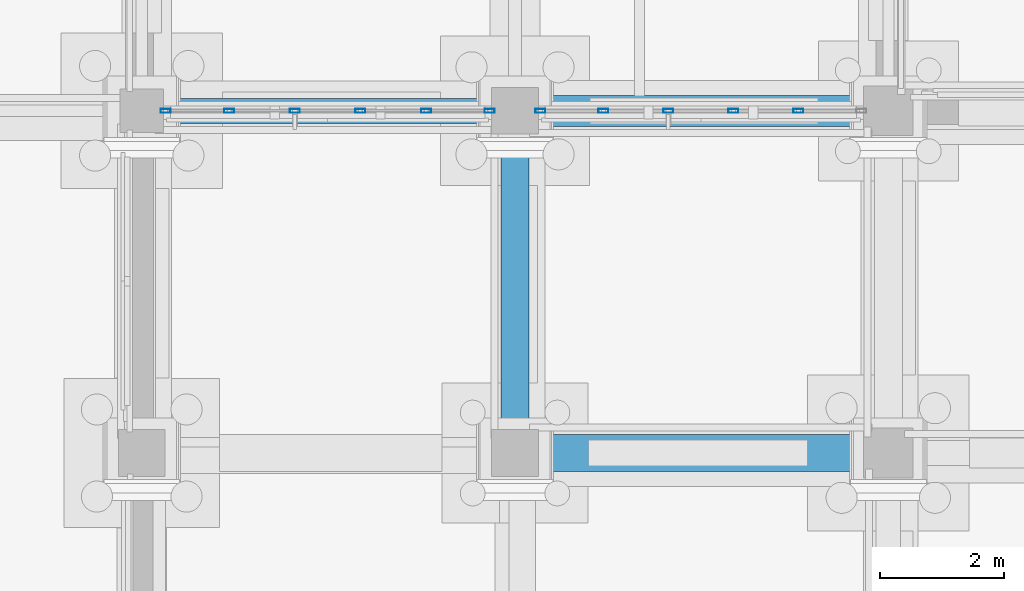
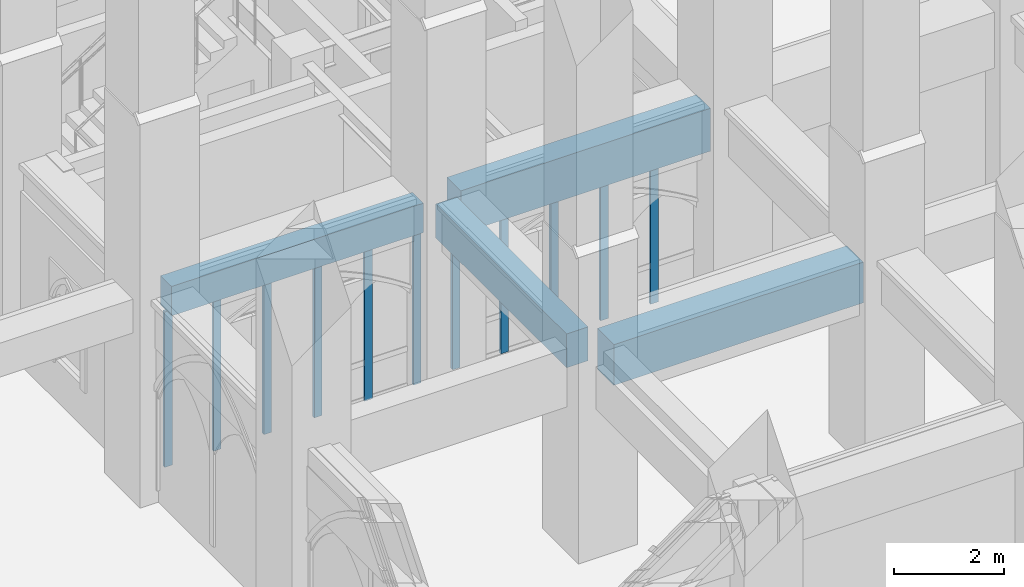
# One storey, part 31 of 135: 11 members, 4 beams, 2 elements without a shape of their own.
"""IFC4 building model written with IfcOpenShell, lengths in metres."""

from ifc_helpers import new_model, si_unit, direction, frame, origin, origin_2d, place, context, subcontext, project, spatial, rectangle, hollow_rectangle, extrude, material, layer, layer_set, material_profile, profile_set, type_object, element, aggregate, save


model = new_model("IFC4")

# Units and contexts
model_context = context("Model", 3, precision=1e-05, world=origin(), true_north=direction((0.0, 1.0)))
body_context = subcontext(model_context, "Body", "Model", "MODEL_VIEW")
ifc_project = project(units=[si_unit("LENGTHUNIT", "METRE"), si_unit("AREAUNIT", "SQUARE_METRE"), si_unit("VOLUMEUNIT", "CUBIC_METRE"), si_unit("PLANEANGLEUNIT", "RADIAN"), si_unit("MASSUNIT", "GRAM", prefix="KILO")], contexts=[model_context])

# Site, building, storey
site_placement = place(None, origin())
site = spatial("IfcSite", under=ifc_project, at=site_placement, CompositionType="ELEMENT")
building_placement = place(site_placement, origin())
building = spatial("IfcBuilding", under=site, at=building_placement, Name="Cumevento Cable Car Station", CompositionType="ELEMENT")
storey_placement = place(building_placement, origin())
storey = spatial("IfcBuildingStorey", under=building, at=storey_placement, Name="L01", CompositionType="ELEMENT", Elevation=0.0)

# Curtain wall, members
ifc_material_1 = material(Name="Anodised Bronze Aluminium AW-6063-T6", Category="aluminium")
ifc_layer_1 = layer(ifc_material_1, 0.159912109375)
ifc_layer_set_1 = layer_set([ifc_layer_1], Name="Anodised Bronze Aluminium AW-6063-T6")
curtain_wall_type_1 = type_object("IfcCurtainWallType", Name="Lancet Curtain Wall CW-01 1050", PredefinedType="NOTDEFINED", material=ifc_layer_set_1)
curtain_wall_1_placement = place(storey_placement, origin())
curtain_wall_1 = element("IfcCurtainWall", 1, at=curtain_wall_1_placement, inside=storey, type_object=curtain_wall_type_1, Name="Lancet Curtain Wall CW-01 L01 #16", PredefinedType="NOTDEFINED")
ifc_material_2 = material(Name="Anodised Bronze Aluminium AW-6063-T6", Category="aluminium")
ifc_material_profile_1 = material_profile(ifc_material_2, hollow_rectangle(XDim=0.06494140625, YDim=0.159912109375, WallThickness=0.00390625, at=origin_2d()), Name="ALUM65x160x4")
ifc_profile_set_1 = profile_set([ifc_material_profile_1], Name="Anodised Bronze Aluminium AW-6063-T6")
member_type = type_object("IfcMemberType", Name="Curtain Mullion CWM-01 ALUM65x160x4", PredefinedType="MULLION", material=ifc_profile_set_1)
member_1_placement = place(storey_placement, frame((27.592529296875, 56.5, 0.159912109375), z_axis=(0.0, 0.0, 1.0), x_axis=(0.0, -1.0, 0.0)))
member_1 = element("IfcMember", 2, at=member_1_placement, type_object=member_type, Name="CW-01 mullion 1", PredefinedType="MULLION", context=body_context, shape_type="SweptSolid", body=[
    extrude(hollow_rectangle(XDim=0.06494140625, YDim=0.159912109375, WallThickness=0.00390625, at=origin_2d()), origin(), (0.0, 0.0, 1.0), 3.440185546875),
])
member_2_placement = place(storey_placement, frame((26.570068359375, 56.5, 0.159912109375), z_axis=(0.0, 0.0, 1.0), x_axis=(0.0, -1.0, 0.0)))
member_2 = element("IfcMember", 3, at=member_2_placement, type_object=member_type, Name="CW-01 mullion 2", PredefinedType="MULLION", context=body_context, shape_type="SweptSolid", body=[
    extrude(hollow_rectangle(XDim=0.06494140625, YDim=0.159912109375, WallThickness=0.00390625, at=origin_2d()), origin(), (0.0, 0.0, 1.0), 3.440185546875),
])
member_3_placement = place(storey_placement, frame((25.514892578125, 56.5, 0.159912109375), z_axis=(0.0, 0.0, 1.0), x_axis=(0.0, -1.0, 0.0)))
member_3 = element("IfcMember", 4, at=member_3_placement, type_object=member_type, Name="CW-01 mullion 3", PredefinedType="MULLION", context=body_context, shape_type="SweptSolid", body=[
    extrude(hollow_rectangle(XDim=0.06494140625, YDim=0.159912109375, WallThickness=0.00390625, at=origin_2d()), origin(), (0.0, 0.0, 1.0), 3.440185546875),
])
member_4_placement = place(storey_placement, frame((24.4599609375, 56.5, 0.159912109375), z_axis=(0.0, 0.0, 1.0), x_axis=(0.0, -1.0, 0.0)))
member_4 = element("IfcMember", 5, at=member_4_placement, type_object=member_type, Name="CW-01 mullion 4", PredefinedType="MULLION", context=body_context, shape_type="SweptSolid", body=[
    extrude(hollow_rectangle(XDim=0.06494140625, YDim=0.159912109375, WallThickness=0.00390625, at=origin_2d()), origin(), (0.0, 0.0, 1.0), 3.440185546875),
])
member_5_placement = place(storey_placement, frame((23.405029296875, 56.5, 0.159912109375), z_axis=(0.0, 0.0, 1.0), x_axis=(0.0, -1.0, 0.0)))
member_5 = element("IfcMember", 6, at=member_5_placement, type_object=member_type, Name="CW-01 mullion 5", PredefinedType="MULLION", context=body_context, shape_type="SweptSolid", body=[
    extrude(hollow_rectangle(XDim=0.06494140625, YDim=0.159912109375, WallThickness=0.00390625, at=origin_2d()), origin(), (0.0, 0.0, 1.0), 3.440185546875),
])
member_6_placement = place(storey_placement, frame((22.382568359375, 56.5, 0.159912109375), z_axis=(0.0, 0.0, 1.0), x_axis=(0.0, -1.0, 0.0)))
member_6 = element("IfcMember", 7, at=member_6_placement, type_object=member_type, Name="CW-01 mullion 6", PredefinedType="MULLION", context=body_context, shape_type="SweptSolid", body=[
    extrude(hollow_rectangle(XDim=0.06494140625, YDim=0.159912109375, WallThickness=0.00390625, at=origin_2d()), origin(), (0.0, 0.0, 1.0), 3.440185546875),
])
aggregate(curtain_wall_1, [member_1, member_2, member_3, member_4, member_5, member_6])

ifc_material_3 = material(Name="Anodised Bronze Aluminium AW-6063-T6", Category="aluminium")
ifc_layer_2 = layer(ifc_material_3, 0.166015625)
ifc_layer_set_2 = layer_set([ifc_layer_2], Name="Anodised Bronze Aluminium AW-6063-T6")
curtain_wall_type_2 = type_object("IfcCurtainWallType", Name="Lancet Curtain Wall CW-02 1090", PredefinedType="NOTDEFINED", material=ifc_layer_set_2)
curtain_wall_2_placement = place(storey_placement, origin())
curtain_wall_2 = element("IfcCurtainWall", 8, at=curtain_wall_2_placement, inside=storey, type_object=curtain_wall_type_2, Name="Lancet Curtain Wall CW-02 L01 #17", PredefinedType="NOTDEFINED")
member_7_placement = place(storey_placement, frame((32.554931640625, 56.5, 0.2099609375), z_axis=(0.0, 0.0, 1.0), x_axis=(0.0, -1.0, 0.0)))
member_7 = element("IfcMember", 9, at=member_7_placement, type_object=member_type, Name="CW-02 mullion 2", PredefinedType="MULLION", context=body_context, shape_type="SweptSolid", body=[
    extrude(hollow_rectangle(XDim=0.06494140625, YDim=0.159912109375, WallThickness=0.00390625, at=origin_2d()), origin(), (0.0, 0.0, 1.0), 3.1279296875),
])
member_8_placement = place(storey_placement, frame((31.510009765625, 56.5, 0.2099609375), z_axis=(0.0, 0.0, 1.0), x_axis=(0.0, -1.0, 0.0)))
member_8 = element("IfcMember", 10, at=member_8_placement, type_object=member_type, Name="CW-02 mullion 3", PredefinedType="MULLION", context=body_context, shape_type="SweptSolid", body=[
    extrude(hollow_rectangle(XDim=0.06494140625, YDim=0.159912109375, WallThickness=0.00390625, at=origin_2d()), origin(), (0.0, 0.0, 1.0), 3.1279296875),
])
member_9_placement = place(storey_placement, frame((30.465087890625, 56.5, 0.2099609375), z_axis=(0.0, 0.0, 1.0), x_axis=(0.0, -1.0, 0.0)))
member_9 = element("IfcMember", 11, at=member_9_placement, type_object=member_type, Name="CW-02 mullion 4", PredefinedType="MULLION", context=body_context, shape_type="SweptSolid", body=[
    extrude(hollow_rectangle(XDim=0.06494140625, YDim=0.159912109375, WallThickness=0.00390625, at=origin_2d()), origin(), (0.0, 0.0, 1.0), 3.1279296875),
])
member_10_placement = place(storey_placement, frame((29.419921875, 56.5, 0.2099609375), z_axis=(0.0, 0.0, 1.0), x_axis=(0.0, -1.0, 0.0)))
member_10 = element("IfcMember", 12, at=member_10_placement, type_object=member_type, Name="CW-02 mullion 5", PredefinedType="MULLION", context=body_context, shape_type="SweptSolid", body=[
    extrude(hollow_rectangle(XDim=0.06494140625, YDim=0.159912109375, WallThickness=0.00390625, at=origin_2d()), origin(), (0.0, 0.0, 1.0), 3.1279296875),
])
member_11_placement = place(storey_placement, frame((28.407470703125, 56.5, 0.2099609375), z_axis=(0.0, 0.0, 1.0), x_axis=(0.0, -1.0, 0.0)))
member_11 = element("IfcMember", 13, at=member_11_placement, type_object=member_type, Name="CW-02 mullion 6", PredefinedType="MULLION", context=body_context, shape_type="SweptSolid", body=[
    extrude(hollow_rectangle(XDim=0.06494140625, YDim=0.159912109375, WallThickness=0.00390625, at=origin_2d()), origin(), (0.0, 0.0, 1.0), 3.1279296875),
])
aggregate(curtain_wall_2, [member_7, member_8, member_9, member_10, member_11])

# Beams
ifc_material_4 = material(Name="Concrete C40/50", Category="concrete")
ifc_material_profile_2 = material_profile(ifc_material_4, rectangle(XDim=0.60009765625, YDim=0.89990234375, at=origin_2d()), Name="RC600x900")
ifc_profile_set_2 = profile_set([ifc_material_profile_2], Name="Concrete C40/50")
beam_type_1 = type_object("IfcBeamType", Name="Structural Beam TB-01 RC600x900", PredefinedType="BEAM", material=ifc_profile_set_2)
beam_1_placement = place(storey_placement, frame((28.375, 51.0, 3.800048828125), z_axis=(1.0, 0.0, 0.0), x_axis=(0.0, 1.0, 0.0)))
element("IfcBeam", 14, at=beam_1_placement, inside=storey, type_object=beam_type_1, Name="Beam TB-01 L01 #130", PredefinedType="BEAM", context=body_context, shape_type="SweptSolid", body=[
    extrude(rectangle(XDim=0.60009765625, YDim=0.89990234375, at=origin_2d()), origin(), (0.0, 0.0, 1.0), 5.22509765625),
])
ifc_material_5 = material(Name="Concrete C40/50", Category="concrete")
ifc_material_profile_3 = material_profile(ifc_material_5, rectangle(XDim=0.449951171875, YDim=0.75, at=origin_2d()), Name="RC450x750")
ifc_profile_set_3 = profile_set([ifc_material_profile_3], Name="Concrete C40/50")
beam_type_2 = type_object("IfcBeamType", Name="Structural Beam TB-02 RC450x750", PredefinedType="BEAM", material=ifc_profile_set_3)
beam_2_placement = place(storey_placement, frame((28.0, 51.375, 3.9130859375), z_axis=(0.0, 1.0, 0.0), x_axis=(-1.0, 0.0, 0.0)))
element("IfcBeam", 15, at=beam_2_placement, inside=storey, type_object=beam_type_2, Name="Beam TB-02 L01 #142", PredefinedType="BEAM", context=body_context, shape_type="SweptSolid", body=[
    extrude(rectangle(XDim=0.449951171875, YDim=0.75, at=origin_2d()), origin(), (0.0, 0.0, 1.0), 4.75),
])
ifc_material_6 = material(Name="Concrete C40/50", Category="concrete")
ifc_material_profile_4 = material_profile(ifc_material_6, rectangle(XDim=0.39990234375, YDim=0.64990234375, at=origin_2d()), Name="RC400x650")
ifc_profile_set_4 = profile_set([ifc_material_profile_4], Name="Concrete C40/50")
beam_type_3 = type_object("IfcBeamType", Name="Structural Beam TB-03 RC400x650", PredefinedType="BEAM", material=ifc_profile_set_4)
beam_3_placement = place(storey_placement, frame((22.35009765625, 56.5, 3.925048828125), z_axis=(1.0, 0.0, 0.0), x_axis=(0.0, 1.0, 0.0)))
element("IfcBeam", 16, at=beam_3_placement, inside=storey, type_object=beam_type_3, Name="Beam TB-03 L01 #134", PredefinedType="BEAM", context=body_context, shape_type="SweptSolid", body=[
    extrude(rectangle(XDim=0.39990234375, YDim=0.64990234375, at=origin_2d()), origin(), (0.0, 0.0, 1.0), 5.27490234375),
])
ifc_material_7 = material(Name="Concrete C40/50", Category="concrete")
ifc_material_profile_5 = material_profile(ifc_material_7, rectangle(XDim=0.5, YDim=0.949951171875, at=origin_2d()), Name="RC500x950")
ifc_profile_set_5 = profile_set([ifc_material_profile_5], Name="Concrete C40/50")
beam_type_4 = type_object("IfcBeamType", Name="Structural Beam TB-04 RC500x950", PredefinedType="BEAM", material=ifc_profile_set_5)
beam_4_placement = place(storey_placement, frame((28.375, 56.5, 3.81298828125), z_axis=(1.0, 0.0, 0.0), x_axis=(0.0, 1.0, 0.0)))
element("IfcBeam", 17, at=beam_4_placement, inside=storey, type_object=beam_type_4, Name="Beam TB-04 L01 #135", PredefinedType="BEAM", context=body_context, shape_type="SweptSolid", body=[
    extrude(rectangle(XDim=0.5, YDim=0.949951171875, at=origin_2d()), origin(), (0.0, 0.0, 1.0), 5.22509765625),
])

save(model, "model.ifc")
